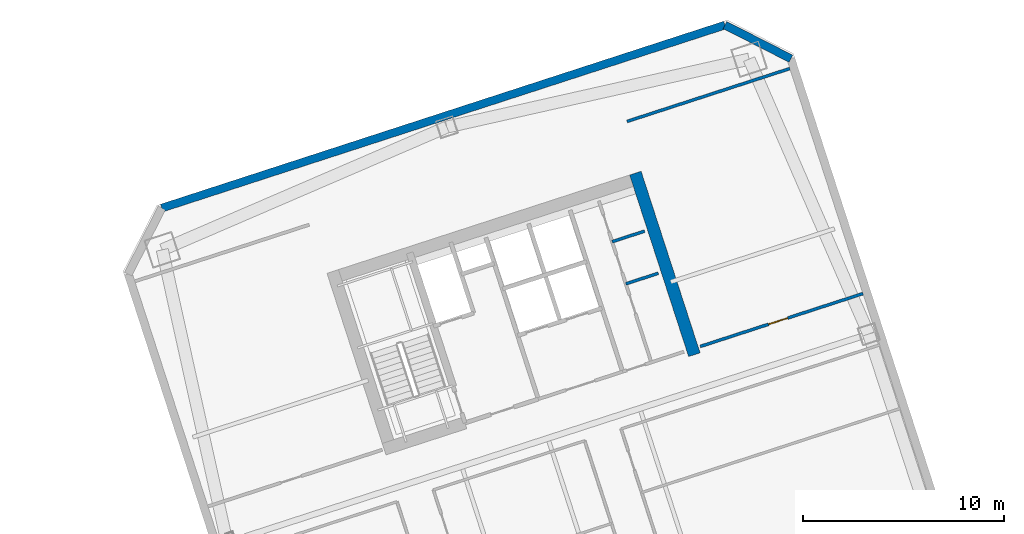
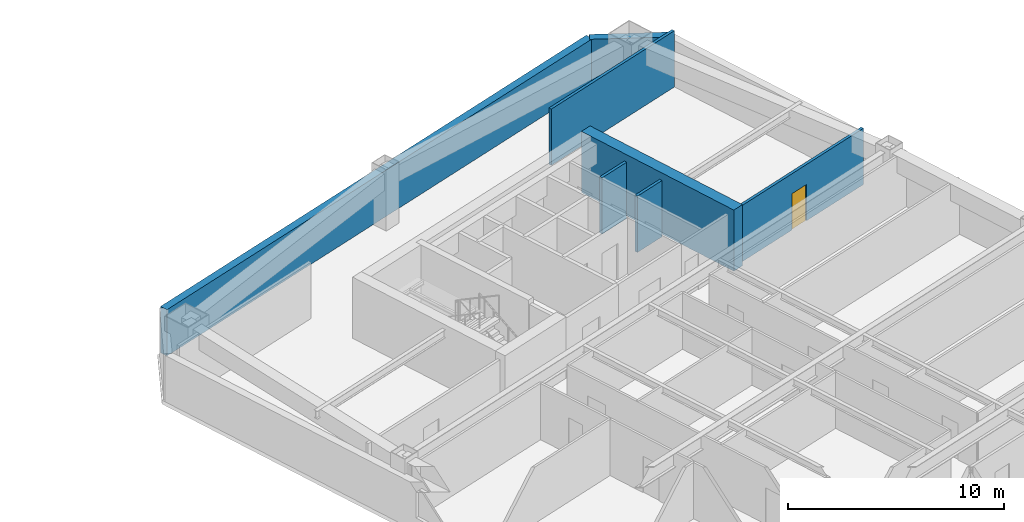
# One storey, part 8 of 11: 7 walls, 1 door, 1 opening.
"""IFC4 building model written with IfcOpenShell, lengths in metres."""

from ifc_helpers import new_model, si_unit, direction, frame, frame_2d, origin, place, context, subcontext, project, spatial, rectangle, extrude, material, layer, layer_set, type_object, element, fill, save


model = new_model("IFC4")

# Units and contexts
model_context = context("Model", 3, precision=1e-05, world=origin(), true_north=direction((0.0, 1.0)))
body_context = subcontext(model_context, "Body", "Model", "MODEL_VIEW")
ifc_project = project(units=[si_unit("LENGTHUNIT", "METRE"), si_unit("AREAUNIT", "SQUARE_METRE"), si_unit("VOLUMEUNIT", "CUBIC_METRE"), si_unit("PLANEANGLEUNIT", "RADIAN"), si_unit("MASSUNIT", "GRAM", prefix="KILO")], contexts=[model_context])

# Site, building, storey
site_placement = place(None, origin())
site = spatial("IfcSite", under=ifc_project, at=site_placement, CompositionType="ELEMENT")
building_placement = place(site_placement, origin())
building = spatial("IfcBuilding", under=site, at=building_placement, Name="Qiaolan Cultural Towers", CompositionType="ELEMENT")
storey_placement = place(building_placement, frame((0.0, 0.0, 117.300048828125)))
storey = spatial("IfcBuildingStorey", under=building, at=storey_placement, Name="L30", CompositionType="ELEMENT", Elevation=117.300048828125)

# Walls
ifc_material_1 = material(Name="Concrete C55", Category="concrete")
ifc_layer_1 = layer(ifc_material_1, 0.60009765625)
ifc_layer_set_1 = layer_set([ifc_layer_1], Name="Concrete C55")
wall_type_1 = type_object("IfcWallType", Name="WL-CORE-600", PredefinedType="SHEAR", material=ifc_layer_set_1)
wall_1_placement = place(storey_placement, frame((94.4921875, 46.710205078125, 0.0), z_axis=(0.0, 0.0, 1.0), x_axis=(-0.309010370028, 0.95105866865, 0.0)))
element("IfcWall", 1, at=wall_1_placement, inside=storey, type_object=wall_type_1, Name="L30 T2-CN East Core Shear Wall", PredefinedType="SHEAR", context=body_context, shape_type="SweptSolid", body=[
    extrude(rectangle(XDim=9.47998046875, YDim=0.60009765625, at=frame_2d((4.739990234375, 0.0))), origin(), (0.0, 0.0, 1.0), 3.449951171875),
])
ifc_material_2 = material(Name="Precast Concrete C50 Honed Stone Pier", Category="masonry")
ifc_layer_2 = layer(ifc_material_2, 0.39990234375)
ifc_layer_set_2 = layer_set([ifc_layer_2], Name="Precast Concrete C50 Honed Stone Pier")
wall_type_2 = type_object("IfcWallType", Name="WL-EXT-PIER-400", PredefinedType="SOLIDWALL", material=ifc_layer_set_2)
wall_2_placement = place(storey_placement, frame((68.046875, 53.99462890625, 0.0), z_axis=(0.0, 0.0, 1.0), x_axis=(0.95105505922, 0.309021478754, 0.0)))
element("IfcWall", 2, at=wall_2_placement, inside=storey, type_object=wall_type_2, Name="L30 East Tower Precast Pier Facade Wall F3", PredefinedType="SOLIDWALL", context=body_context, shape_type="SweptSolid", body=[
    extrude(rectangle(XDim=29.39990234375, YDim=0.39990234375, at=frame_2d((14.699951171875, 0.0))), origin(), (0.0, 0.0, 1.0), 2.60986328125),
])
wall_3_placement = place(storey_placement, frame((96.0078125, 63.079833984375, 0.0), z_axis=(0.0, 0.0, 1.0), x_axis=(0.891001999643, -0.45399937955, 0.0)))
element("IfcWall", 3, at=wall_3_placement, inside=storey, type_object=wall_type_2, Name="L30 East Tower Precast Pier Facade Wall F4", PredefinedType="SOLIDWALL", context=body_context, shape_type="SweptSolid", body=[
    extrude(rectangle(XDim=3.67724609375, YDim=0.39990234375, at=frame_2d((1.838623046875, 0.0))), origin(), (0.0, 0.0, 1.0), 2.60986328125),
])
ifc_material_3 = material(Name="Autoclaved Aerated Concrete Block B06", Category="concrete")
ifc_layer_3 = layer(ifc_material_3, 0.14990234375)
ifc_layer_set_3 = layer_set([ifc_layer_3], Name="Autoclaved Aerated Concrete Block B06")
wall_type_3 = type_object("IfcWallType", Name="WL-PART-150", PredefinedType="PARTITIONING", material=ifc_layer_set_3)
wall_4_placement = place(storey_placement, frame((91.087646484375, 50.23046875, 0.0), z_axis=(0.0, 0.0, 1.0), x_axis=(0.951054116971, 0.309024378638, 0.0)))
element("IfcWall", 4, at=wall_4_placement, inside=storey, type_object=wall_type_3, Name="L30 T2-CN Restroom Split Wall 1", PredefinedType="PARTITIONING", context=body_context, shape_type="SweptSolid", body=[
    extrude(rectangle(XDim=1.7001953125, YDim=0.14990234375, at=frame_2d((0.85009765625, 0.0))), origin(), (0.0, 0.0, 1.0), 3.175048828125),
])
wall_5_placement = place(storey_placement, frame((90.407958984375, 52.32275390625, 0.0), z_axis=(0.0, 0.0, 1.0), x_axis=(0.951040401051, 0.309066587596, 0.0)))
element("IfcWall", 5, at=wall_5_placement, inside=storey, type_object=wall_type_3, Name="L30 T2-CN Restroom Split Wall 2", PredefinedType="PARTITIONING", context=body_context, shape_type="SweptSolid", body=[
    extrude(rectangle(XDim=1.699951171875, YDim=0.14990234375, at=frame_2d((0.85009765625, 0.0))), origin(), (0.0, 0.0, 1.0), 3.175048828125),
])
wall_6_placement = place(storey_placement, frame((91.14892578125, 58.294189453125, 0.0), z_axis=(0.0, 0.0, 1.0), x_axis=(0.951062770994, 0.308997743729, 0.0)))
element("IfcWall", 6, at=wall_6_placement, inside=storey, type_object=wall_type_3, Name="L30 T2 Flank Wall FLK-NE", PredefinedType="PARTITIONING", context=body_context, shape_type="SweptSolid", body=[
    extrude(rectangle(XDim=8.5, YDim=0.14990234375, at=frame_2d((4.25, 0.0))), origin(), (0.0, 0.0, 1.0), 3.175048828125),
])

# Wall, opening, door
wall_7_placement = place(storey_placement, frame((94.77978515625, 47.119140625, 0.0), z_axis=(0.0, 0.0, 1.0), x_axis=(0.951054329824, 0.309023723562, 0.0)))
wall_7 = element("IfcWall", 7, at=wall_7_placement, inside=storey, type_object=wall_type_3, Name="L30 T2 Flank Front FLK-NE", PredefinedType="PARTITIONING", context=body_context, shape_type="SweptSolid", body=[
    extrude(rectangle(XDim=8.5, YDim=0.14990234375, at=frame_2d((4.25, 0.0))), origin(), (0.0, 0.0, 1.0), 3.175048828125),
])
opening_placement = place(wall_7_placement, frame((3.570068359375, 0.0, 0.0)))
opening = element("IfcOpeningElement", 8, at=opening_placement, cuts=wall_7, Name="Opening ID-04", PredefinedType="OPENING", context=body_context, shape_type="SweptSolid", body=[
    extrude(rectangle(XDim=1.0, YDim=2.050048828125, at=frame_2d((0.5, 1.02490234375))), frame((0.0, 0.0849609375, 0.0), z_axis=(0.0, -1.0, 0.0), x_axis=(1.0, 0.0, 0.0)), (0.0, 0.0, 1.0), 0.169921875),
])
ifc_material_4 = material(Name="Oak Veneer Acoustic Office Door", Category="timber")
door_type = type_object("IfcDoorType", Name="DR-INT-1000", OperationType="NOTDEFINED", PredefinedType="DOOR", material=ifc_material_4)
door_placement = place(opening_placement, origin())
door = element("IfcDoor", 9, at=door_placement, inside=storey, type_object=door_type, Name="L30 T2 Corner Studio Door", OperationType="SINGLE_SWING_LEFT", OverallHeight=2.050048828125, OverallWidth=1.0, PredefinedType="DOOR", context=body_context, shape_type="SweptSolid", body=[
    extrude(rectangle(XDim=1.0, YDim=2.050048828125, at=frame_2d((0.5, 1.02490234375))), frame((0.0, 0.02490234375, 0.0), z_axis=(0.0, -1.0, 0.0), x_axis=(1.0, 0.0, 0.0)), (0.0, 0.0, 1.0), 0.050048828125),
])
fill(opening, door)

save(model, "model.ifc")
